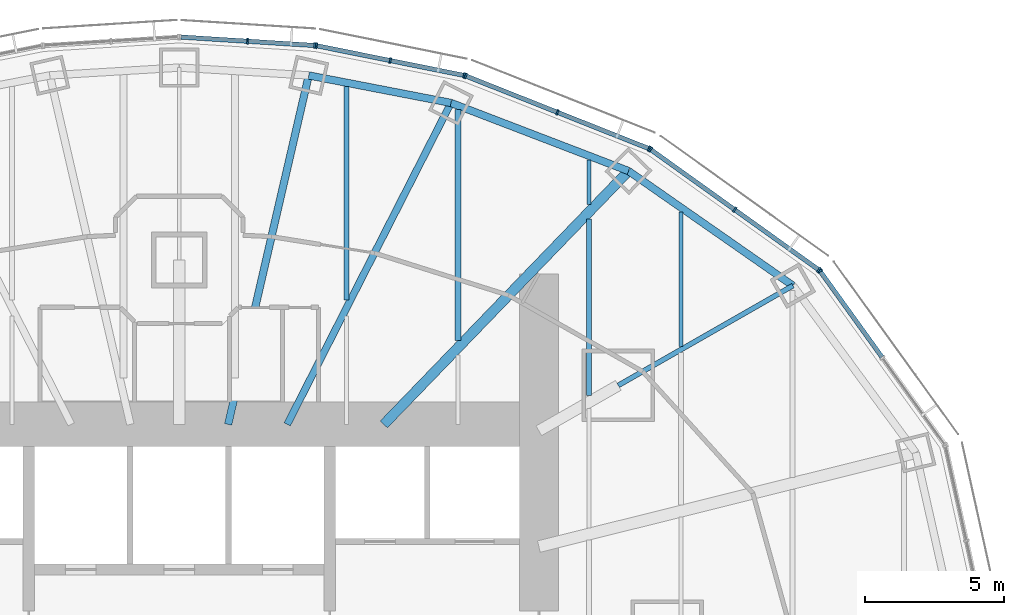
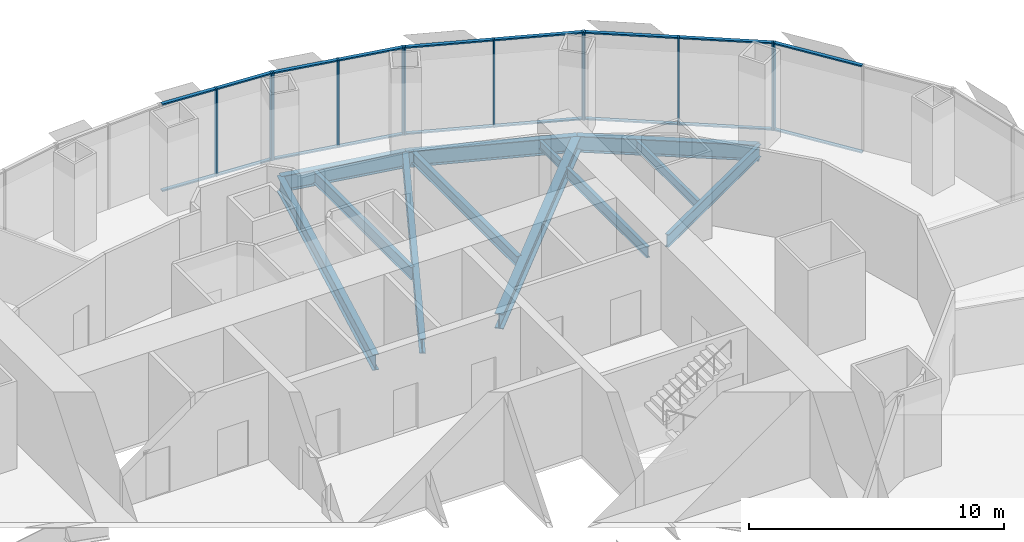
# One storey, part 8 of 17: 30 members, 12 beams, 5 elements without a shape of their own.
"""IFC4 building model written with IfcOpenShell, lengths in metres."""

from ifc_helpers import new_model, si_unit, direction, frame, origin, origin_2d, place, context, subcontext, project, spatial, rectangle, i_section, extrude, material, material_profile, profile_set, type_object, element, aggregate, save


model = new_model("IFC4")

# Units and contexts
model_context = context("Model", 3, precision=1e-05, world=origin(), true_north=direction((0.0, 1.0)))
body_context = subcontext(model_context, "Body", "Model", "MODEL_VIEW")
ifc_project = project(units=[si_unit("LENGTHUNIT", "METRE"), si_unit("AREAUNIT", "SQUARE_METRE"), si_unit("VOLUMEUNIT", "CUBIC_METRE"), si_unit("PLANEANGLEUNIT", "RADIAN"), si_unit("MASSUNIT", "GRAM", prefix="KILO")], contexts=[model_context])

# Site, building, storey
site_placement = place(None, origin())
site = spatial("IfcSite", under=ifc_project, at=site_placement, CompositionType="ELEMENT")
building_placement = place(site_placement, origin())
building = spatial("IfcBuilding", under=site, at=building_placement, Name="Lantaw Convention Tower", CompositionType="ELEMENT")
storey_placement = place(building_placement, frame((0.0, 0.0, 121.60009765625)))
storey = spatial("IfcBuildingStorey", under=building, at=storey_placement, Name="L28", CompositionType="ELEMENT", Elevation=121.60009765625)

# Beams
ifc_material_1 = material(Name="Steel ASTM A992", Category="steel")
ifc_material_profile_1 = material_profile(ifc_material_1, i_section(OverallWidth=0.2666015625, OverallDepth=0.76953125, WebThickness=0.015625, FlangeThickness=0.025390625, FilletRadius=0.0126953125, at=origin_2d()), Name="W30X132")
ifc_profile_set_1 = profile_set([ifc_material_profile_1], Name="Steel ASTM A992")
beam_type_1 = type_object("IfcBeamType", Name="Beam E W30X132", PredefinedType="SPANDREL", material=ifc_profile_set_1)
beam_1_placement = place(storey_placement, frame((22.013916015625, 12.579345703125, -0.534912109375), z_axis=(-0.820310765287, 0.57191804339, 0.0), x_axis=(-0.57191804339, -0.820310765287, 0.0)))
element("IfcBeam", 1, at=beam_1_placement, inside=storey, type_object=beam_type_1, Name="Edge beam 3", PredefinedType="SPANDREL", context=body_context, shape_type="SweptSolid", body=[
    extrude(i_section(OverallWidth=0.2666015625, OverallDepth=0.76953125, WebThickness=0.015625, FlangeThickness=0.025390625, FilletRadius=0.0126953125, at=origin_2d()), origin(), (0.0, 0.0, 1.0), 7.187744140625),
])
beam_2_placement = place(storey_placement, frame((16.11767578125, 16.690185546875, -0.534912109375), z_axis=(-0.933691081977, 0.358079549033, 0.0), x_axis=(-0.358079549033, -0.933691081977, 0.0)))
element("IfcBeam", 2, at=beam_2_placement, inside=storey, type_object=beam_type_1, Name="Edge beam 4", PredefinedType="SPANDREL", context=body_context, shape_type="SweptSolid", body=[
    extrude(i_section(OverallWidth=0.2666015625, OverallDepth=0.76953125, WebThickness=0.015625, FlangeThickness=0.025390625, FilletRadius=0.0126953125, at=origin_2d()), origin(), (0.0, 0.0, 1.0), 6.821533203125),
])
beam_3_placement = place(storey_placement, frame((9.74853515625, 19.1328125, -0.534912109375), z_axis=(-0.981796805654, 0.189934284446, 0.0), x_axis=(-0.189934284446, -0.981796805654, 0.0)))
element("IfcBeam", 3, at=beam_3_placement, inside=storey, type_object=beam_type_1, Name="Edge beam 5", PredefinedType="SPANDREL", context=body_context, shape_type="SweptSolid", body=[
    extrude(i_section(OverallWidth=0.2666015625, OverallDepth=0.76953125, WebThickness=0.015625, FlangeThickness=0.025390625, FilletRadius=0.0126953125, at=origin_2d()), origin(), (0.0, 0.0, 1.0), 5.1982421875),
])
ifc_material_profile_2 = material_profile(ifc_material_1, i_section(OverallWidth=0.177978515625, OverallDepth=0.599365234375, WebThickness=0.010009765625, FlangeThickness=0.012939453125, FilletRadius=0.012939453125, at=origin_2d()), Name="W24X55")
ifc_profile_set_2 = profile_set([ifc_material_profile_2], Name="Steel ASTM A992")
beam_type_2 = type_object("IfcBeamType", Name="Beam G W24X55", PredefinedType="BEAM", material=ifc_profile_set_2)
beam_4_placement = place(storey_placement, frame((15.75, 9.0, -0.44970703125), z_axis=(0.868245224608, 0.496135293993, 0.0), x_axis=(-0.496135293993, 0.868245224608, 0.0)))
element("IfcBeam", 4, at=beam_4_placement, inside=storey, type_object=beam_type_2, Name="Floor girder on ray 3", PredefinedType="BEAM", context=body_context, shape_type="SweptSolid", body=[
    extrude(i_section(OverallWidth=0.177978515625, OverallDepth=0.599365234375, WebThickness=0.010009765625, FlangeThickness=0.012939453125, FilletRadius=0.012939453125, at=origin_2d()), origin(), (0.0, 0.0, 1.0), 7.21435546875),
])
ifc_material_profile_3 = material_profile(ifc_material_1, i_section(OverallWidth=0.25390625, OverallDepth=0.700927734375, WebThickness=0.015380859375, FlangeThickness=0.02783203125, FilletRadius=0.01513671875, at=origin_2d()), Name="W27X129")
ifc_profile_set_3 = profile_set([ifc_material_profile_3], Name="Steel ASTM A992")
beam_type_3 = type_object("IfcBeamType", Name="Beam G W27X129", PredefinedType="BEAM", material=ifc_profile_set_3)
beam_5_placement = place(storey_placement, frame((3.872314453125, 7.60009765625, -0.500732421875), z_axis=(0.453991051051, 0.891006243281, 0.0), x_axis=(-0.891006243281, 0.453991051051, 0.0)))
element("IfcBeam", 5, at=beam_5_placement, inside=storey, type_object=beam_type_3, Name="Floor girder on ray 5", PredefinedType="BEAM", context=body_context, shape_type="SweptSolid", body=[
    extrude(i_section(OverallWidth=0.25390625, OverallDepth=0.700927734375, WebThickness=0.015380859375, FlangeThickness=0.02783203125, FilletRadius=0.01513671875, at=origin_2d()), origin(), (0.0, 0.0, 1.0), 12.943359375),
])
ifc_material_profile_4 = material_profile(ifc_material_1, i_section(OverallWidth=0.360595703125, OverallDepth=0.72900390625, WebThickness=0.023193359375, FlangeThickness=0.041015625, FilletRadius=0.0126953125, at=origin_2d()), Name="W27X235")
ifc_profile_set_4 = profile_set([ifc_material_profile_4], Name="Steel ASTM A992")
beam_type_4 = type_object("IfcBeamType", Name="Beam G W27X235", PredefinedType="BEAM", material=ifc_profile_set_4)
beam_6_placement = place(storey_placement, frame((7.33935546875, 7.60009765625, -0.5146484375), z_axis=(0.694663467407, 0.719334878239, 0.0), x_axis=(-0.719334878239, 0.694663467407, 0.0)))
element("IfcBeam", 6, at=beam_6_placement, inside=storey, type_object=beam_type_4, Name="Floor girder on ray 4", PredefinedType="BEAM", context=body_context, shape_type="SweptSolid", body=[
    extrude(i_section(OverallWidth=0.360595703125, OverallDepth=0.72900390625, WebThickness=0.023193359375, FlangeThickness=0.041015625, FilletRadius=0.0126953125, at=origin_2d()), origin(), (0.0, 0.0, 1.0), 12.63671875),
])
ifc_material_profile_5 = material_profile(ifc_material_1, i_section(OverallWidth=0.2666015625, OverallDepth=0.7568359375, WebThickness=0.013916015625, FlangeThickness=0.019287109375, FilletRadius=0.0126953125, at=origin_2d()), Name="W30X108")
ifc_profile_set_5 = profile_set([ifc_material_profile_5], Name="Steel ASTM A992")
beam_type_5 = type_object("IfcBeamType", Name="Beam G W30X108", PredefinedType="BEAM", material=ifc_profile_set_5)
beam_7_placement = place(storey_placement, frame((1.754638671875, 7.60009765625, -0.528564453125), z_axis=(0.224944153104, 0.974371658036, 0.0), x_axis=(-0.974371658036, 0.224944153104, 0.0)))
element("IfcBeam", 7, at=beam_7_placement, inside=storey, type_object=beam_type_5, Name="Floor girder on ray 6", PredefinedType="BEAM", context=body_context, shape_type="SweptSolid", body=[
    extrude(i_section(OverallWidth=0.2666015625, OverallDepth=0.7568359375, WebThickness=0.013916015625, FlangeThickness=0.019287109375, FilletRadius=0.0126953125, at=origin_2d()), origin(), (0.0, 0.0, 1.0), 12.849365234375),
])
ifc_material_profile_6 = material_profile(ifc_material_1, i_section(OverallWidth=0.140380859375, OverallDepth=0.40380859375, WebThickness=0.007080078125, FlangeThickness=0.01123046875, FilletRadius=0.01025390625, at=origin_2d()), Name="W16X31")
ifc_profile_set_6 = profile_set([ifc_material_profile_6], Name="Steel ASTM A992")
beam_type_6 = type_object("IfcBeamType", Name="Beam J W16X31", PredefinedType="JOIST", material=ifc_profile_set_6)
beam_8_placement = place(storey_placement, frame((14.699951171875, 15.48193359375, -0.35205078125), z_axis=(0.0, 1.0, 0.0), x_axis=(-1.0, 0.0, 0.0)))
element("IfcBeam", 8, at=beam_8_placement, inside=storey, type_object=beam_type_6, Name="Floor joist", PredefinedType="JOIST", context=body_context, shape_type="SweptSolid", body=[
    extrude(i_section(OverallWidth=0.140380859375, OverallDepth=0.40380859375, WebThickness=0.007080078125, FlangeThickness=0.01123046875, FilletRadius=0.01025390625, at=origin_2d()), origin(), (0.0, 0.0, 1.0), 1.609130859375),
])
ifc_material_profile_7 = material_profile(ifc_material_1, i_section(OverallWidth=0.15234375, OverallDepth=0.449462890625, WebThickness=0.007568359375, FlangeThickness=0.0107421875, FilletRadius=0.01025390625, at=origin_2d()), Name="W18X35")
ifc_profile_set_7 = profile_set([ifc_material_profile_7], Name="Steel ASTM A992")
beam_type_7 = type_object("IfcBeamType", Name="Beam J W18X35", PredefinedType="JOIST", material=ifc_profile_set_7)
beam_9_placement = place(storey_placement, frame((18.0, 10.38818359375, -0.375), z_axis=(0.0, 1.0, 0.0), x_axis=(-1.0, 0.0, 0.0)))
element("IfcBeam", 9, at=beam_9_placement, inside=storey, type_object=beam_type_7, Name="Floor joist", PredefinedType="JOIST", context=body_context, shape_type="SweptSolid", body=[
    extrude(i_section(OverallWidth=0.15234375, OverallDepth=0.449462890625, WebThickness=0.007568359375, FlangeThickness=0.0107421875, FilletRadius=0.01025390625, at=origin_2d()), origin(), (0.0, 0.0, 1.0), 4.8271484375),
])
ifc_material_profile_8 = material_profile(ifc_material_1, i_section(OverallWidth=0.1650390625, OverallDepth=0.52587890625, WebThickness=0.0087890625, FlangeThickness=0.011474609375, FilletRadius=0.0126953125, at=origin_2d()), Name="W21X44")
ifc_profile_set_8 = profile_set([ifc_material_profile_8], Name="Steel ASTM A992")
beam_type_8 = type_object("IfcBeamType", Name="Beam J W21X44", PredefinedType="JOIST", material=ifc_profile_set_8)
beam_10_placement = place(storey_placement, frame((14.699951171875, 8.632568359375, -0.4130859375), z_axis=(0.0, 1.0, 0.0), x_axis=(-1.0, 0.0, 0.0)))
element("IfcBeam", 10, at=beam_10_placement, inside=storey, type_object=beam_type_8, Name="Floor joist", PredefinedType="JOIST", context=body_context, shape_type="SweptSolid", body=[
    extrude(i_section(OverallWidth=0.1650390625, OverallDepth=0.52587890625, WebThickness=0.0087890625, FlangeThickness=0.011474609375, FilletRadius=0.0126953125, at=origin_2d()), origin(), (0.0, 0.0, 1.0), 6.330078125),
])
ifc_material_profile_9 = material_profile(ifc_material_1, i_section(OverallWidth=0.2099609375, OverallDepth=0.535888671875, WebThickness=0.010986328125, FlangeThickness=0.017333984375, FilletRadius=0.012939453125, at=origin_2d()), Name="W21X68")
ifc_profile_set_9 = profile_set([ifc_material_profile_9], Name="Steel ASTM A992")
beam_type_9 = type_object("IfcBeamType", Name="Beam J W21X68", PredefinedType="JOIST", material=ifc_profile_set_9)
beam_11_placement = place(storey_placement, frame((10.0, 10.614990234375, -0.41796875), z_axis=(0.0, 1.0, 0.0), x_axis=(-1.0, 0.0, 0.0)))
element("IfcBeam", 11, at=beam_11_placement, inside=storey, type_object=beam_type_9, Name="Floor joist", PredefinedType="JOIST", context=body_context, shape_type="SweptSolid", body=[
    extrude(i_section(OverallWidth=0.2099609375, OverallDepth=0.535888671875, WebThickness=0.010986328125, FlangeThickness=0.017333984375, FilletRadius=0.012939453125, at=origin_2d()), origin(), (0.0, 0.0, 1.0), 8.278564453125),
])
ifc_material_profile_10 = material_profile(ifc_material_1, i_section(OverallWidth=0.177978515625, OverallDepth=0.599365234375, WebThickness=0.010009765625, FlangeThickness=0.012939453125, FilletRadius=0.012939453125, at=origin_2d()), Name="W24X55")
ifc_profile_set_10 = profile_set([ifc_material_profile_10], Name="Steel ASTM A992")
beam_type_10 = type_object("IfcBeamType", Name="Beam J W24X55", PredefinedType="JOIST", material=ifc_profile_set_10)
beam_12_placement = place(storey_placement, frame((6.0, 12.055419921875, -0.44970703125), z_axis=(0.0, 1.0, 0.0), x_axis=(-1.0, 0.0, 0.0)))
element("IfcBeam", 12, at=beam_12_placement, inside=storey, type_object=beam_type_10, Name="Floor joist", PredefinedType="JOIST", context=body_context, shape_type="SweptSolid", body=[
    extrude(i_section(OverallWidth=0.177978515625, OverallDepth=0.599365234375, WebThickness=0.010009765625, FlangeThickness=0.012939453125, FilletRadius=0.012939453125, at=origin_2d()), origin(), (0.0, 0.0, 1.0), 7.666748046875),
])

# Curtain wall, member
ifc_material_2 = material(Name="Aluminium framed curtain wall", Category="aluminium")
curtain_wall_type = type_object("IfcCurtainWallType", Name="Office curtain wall low rise, pale aluminium", PredefinedType="USERDEFINED", material=ifc_material_2)
curtain_wall_1_placement = place(storey_placement, origin())
curtain_wall_1 = element("IfcCurtainWall", 13, at=curtain_wall_1_placement, inside=storey, type_object=curtain_wall_type, Name="Office curtain wall low rise, pale aluminium L28", ObjectType="UNITISED CURTAIN WALL", PredefinedType="USERDEFINED")
ifc_material_3 = material(Name="Aluminium 6063-T6", Category="aluminium")
ifc_material_profile_11 = material_profile(ifc_material_3, rectangle(XDim=0.199951171875, YDim=0.06494140625, at=origin_2d()), Name="CW-O1 mullion 65x200")
ifc_profile_set_11 = profile_set([ifc_material_profile_11], Name="Aluminium 6063-T6")
member_type_1 = type_object("IfcMemberType", Name="CW-O1 mullion 65x200", PredefinedType="MULLION", material=ifc_profile_set_11)
member_1_placement = place(storey_placement, frame((22.988037109375, 13.098876953125, -0.150146484375), z_axis=(0.0, 0.0, 1.0), x_axis=(-0.811384633629, -0.584512597221, 0.0)))
member_1 = element("IfcMember", 14, at=member_1_placement, type_object=member_type_1, Name="CW-O1 mullion 3", PredefinedType="MULLION", context=body_context, shape_type="SweptSolid", body=[
    extrude(rectangle(XDim=0.199951171875, YDim=0.06494140625, at=origin_2d()), origin(), (0.0, 0.0, 1.0), 4.199951171875),
])

# Curtain wall, members
curtain_wall_2_placement = place(storey_placement, origin())
curtain_wall_2 = element("IfcCurtainWall", 15, at=curtain_wall_2_placement, inside=storey, type_object=curtain_wall_type, Name="Office curtain wall low rise, pale aluminium L28", ObjectType="UNITISED CURTAIN WALL", PredefinedType="USERDEFINED")
member_2_placement = place(storey_placement, frame((22.942626953125, 13.14404296875, -0.150146484375), z_axis=(0.0, 0.0, 1.0), x_axis=(-0.581972695693, -0.813208325995, 0.0)))
member_2 = element("IfcMember", 16, at=member_2_placement, type_object=member_type_1, Name="CW-O1 mullion 1", PredefinedType="MULLION", context=body_context, shape_type="SweptSolid", body=[
    extrude(rectangle(XDim=0.199951171875, YDim=0.06494140625, at=origin_2d()), origin(), (0.0, 0.0, 1.0), 4.199951171875),
])
member_3_placement = place(storey_placement, frame((19.92529296875, 15.303466796875, -0.150146484375), z_axis=(0.0, 0.0, 1.0), x_axis=(-0.581972695693, -0.813208325995, 0.0)))
member_3 = element("IfcMember", 17, at=member_3_placement, type_object=member_type_1, Name="CW-O1 mullion 2", PredefinedType="MULLION", context=body_context, shape_type="SweptSolid", body=[
    extrude(rectangle(XDim=0.199951171875, YDim=0.06494140625, at=origin_2d()), origin(), (0.0, 0.0, 1.0), 4.199951171875),
])
member_4_placement = place(storey_placement, frame((16.908203125, 17.462646484375, -0.150146484375), z_axis=(0.0, 0.0, 1.0), x_axis=(-0.581972695693, -0.813208325995, 0.0)))
member_4 = element("IfcMember", 18, at=member_4_placement, type_object=member_type_1, Name="CW-O1 mullion 3", PredefinedType="MULLION", context=body_context, shape_type="SweptSolid", body=[
    extrude(rectangle(XDim=0.199951171875, YDim=0.06494140625, at=origin_2d()), origin(), (0.0, 0.0, 1.0), 4.199951171875),
])

curtain_wall_3_placement = place(storey_placement, origin())
curtain_wall_3 = element("IfcCurtainWall", 19, at=curtain_wall_3_placement, inside=storey, type_object=curtain_wall_type, Name="Office curtain wall low rise, pale aluminium L28", ObjectType="UNITISED CURTAIN WALL", PredefinedType="USERDEFINED")
member_5_placement = place(storey_placement, frame((16.8515625, 17.49365234375, -0.150146484375), z_axis=(0.0, 0.0, 1.0), x_axis=(-0.368701907483, -0.929547687544, 0.0)))
member_5 = element("IfcMember", 20, at=member_5_placement, type_object=member_type_1, Name="CW-O1 mullion 1", PredefinedType="MULLION", context=body_context, shape_type="SweptSolid", body=[
    extrude(rectangle(XDim=0.199951171875, YDim=0.06494140625, at=origin_2d()), origin(), (0.0, 0.0, 1.0), 4.199951171875),
])
member_6_placement = place(storey_placement, frame((13.56494140625, 18.797119140625, -0.150146484375), z_axis=(0.0, 0.0, 1.0), x_axis=(-0.368701907483, -0.929547687544, 0.0)))
member_6 = element("IfcMember", 21, at=member_6_placement, type_object=member_type_1, Name="CW-O1 mullion 2", PredefinedType="MULLION", context=body_context, shape_type="SweptSolid", body=[
    extrude(rectangle(XDim=0.199951171875, YDim=0.06494140625, at=origin_2d()), origin(), (0.0, 0.0, 1.0), 4.199951171875),
])
member_7_placement = place(storey_placement, frame((10.2783203125, 20.100830078125, -0.150146484375), z_axis=(0.0, 0.0, 1.0), x_axis=(-0.368701907483, -0.929547687544, 0.0)))
member_7 = element("IfcMember", 22, at=member_7_placement, type_object=member_type_1, Name="CW-O1 mullion 3", PredefinedType="MULLION", context=body_context, shape_type="SweptSolid", body=[
    extrude(rectangle(XDim=0.199951171875, YDim=0.06494140625, at=origin_2d()), origin(), (0.0, 0.0, 1.0), 4.199951171875),
])

curtain_wall_4_placement = place(storey_placement, origin())
curtain_wall_4 = element("IfcCurtainWall", 23, at=curtain_wall_4_placement, inside=storey, type_object=curtain_wall_type, Name="Office curtain wall low rise, pale aluminium L28", ObjectType="UNITISED CURTAIN WALL", PredefinedType="USERDEFINED")
member_8_placement = place(storey_placement, frame((10.216064453125, 20.119140625, -0.150146484375), z_axis=(0.0, 0.0, 1.0), x_axis=(-0.197506809659, -0.980301514912, 0.0)))
member_8 = element("IfcMember", 24, at=member_8_placement, type_object=member_type_1, Name="CW-O1 mullion 1", PredefinedType="MULLION", context=body_context, shape_type="SweptSolid", body=[
    extrude(rectangle(XDim=0.199951171875, YDim=0.06494140625, at=origin_2d()), origin(), (0.0, 0.0, 1.0), 4.199951171875),
])
member_9_placement = place(storey_placement, frame((7.5703125, 20.65234375, -0.150146484375), z_axis=(0.0, 0.0, 1.0), x_axis=(-0.197506809659, -0.980301514912, 0.0)))
member_9 = element("IfcMember", 25, at=member_9_placement, type_object=member_type_1, Name="CW-O1 mullion 2", PredefinedType="MULLION", context=body_context, shape_type="SweptSolid", body=[
    extrude(rectangle(XDim=0.199951171875, YDim=0.06494140625, at=origin_2d()), origin(), (0.0, 0.0, 1.0), 4.199951171875),
])
member_10_placement = place(storey_placement, frame((4.92431640625, 21.185302734375, -0.150146484375), z_axis=(0.0, 0.0, 1.0), x_axis=(-0.197506809659, -0.980301514912, 0.0)))
member_10 = element("IfcMember", 26, at=member_10_placement, type_object=member_type_1, Name="CW-O1 mullion 3", PredefinedType="MULLION", context=body_context, shape_type="SweptSolid", body=[
    extrude(rectangle(XDim=0.199951171875, YDim=0.06494140625, at=origin_2d()), origin(), (0.0, 0.0, 1.0), 4.199951171875),
])

curtain_wall_5_placement = place(storey_placement, origin())
curtain_wall_5 = element("IfcCurtainWall", 27, at=curtain_wall_5_placement, inside=storey, type_object=curtain_wall_type, Name="Office curtain wall low rise, pale aluminium L28", ObjectType="UNITISED CURTAIN WALL", PredefinedType="USERDEFINED")
member_11_placement = place(storey_placement, frame((4.860107421875, 21.19384765625, -0.150146484375), z_axis=(0.0, 0.0, 1.0), x_axis=(-0.062865059466, -0.998022035978, 0.0)))
member_11 = element("IfcMember", 28, at=member_11_placement, type_object=member_type_1, Name="CW-O1 mullion 1", PredefinedType="MULLION", context=body_context, shape_type="SweptSolid", body=[
    extrude(rectangle(XDim=0.199951171875, YDim=0.06494140625, at=origin_2d()), origin(), (0.0, 0.0, 1.0), 4.199951171875),
])
member_12_placement = place(storey_placement, frame((2.4462890625, 21.345947265625, -0.150146484375), z_axis=(0.0, 0.0, 1.0), x_axis=(-0.062865059466, -0.998022035978, 0.0)))
member_12 = element("IfcMember", 29, at=member_12_placement, type_object=member_type_1, Name="CW-O1 mullion 2", PredefinedType="MULLION", context=body_context, shape_type="SweptSolid", body=[
    extrude(rectangle(XDim=0.199951171875, YDim=0.06494140625, at=origin_2d()), origin(), (0.0, 0.0, 1.0), 4.199951171875),
])

# Member
ifc_material_profile_12 = material_profile(ifc_material_3, rectangle(XDim=0.159912109375, YDim=0.06494140625, at=origin_2d()), Name="CW-O1 transom 65x160")
ifc_profile_set_12 = profile_set([ifc_material_profile_12], Name="Aluminium 6063-T6")
member_type_2 = type_object("IfcMemberType", Name="CW-O1 transom 65x160", PredefinedType="USERDEFINED", material=ifc_profile_set_12)
member_13_placement = place(storey_placement, frame((25.209228515625, 10.015625, -0.11767578125), z_axis=(-0.584512973979, 0.811384362217, 0.0), x_axis=(-0.811384362217, -0.584512973979, 0.0)))
member_13 = element("IfcMember", 30, at=member_13_placement, type_object=member_type_2, Name="CW-O1 transom 2.1", ObjectType="TRANSOM", PredefinedType="USERDEFINED", context=body_context, shape_type="SweptSolid", body=[
    extrude(rectangle(XDim=0.159912109375, YDim=0.06494140625, at=origin_2d()), origin(), (0.0, 0.0, 1.0), 3.767578125),
])

member_14_placement = place(storey_placement, frame((25.209228515625, 10.015625, 4.017333984375), z_axis=(-0.584512973979, 0.811384362217, 0.0), x_axis=(-0.811384362217, -0.584512973979, 0.0)))
member_14 = element("IfcMember", 31, at=member_14_placement, type_object=member_type_2, Name="CW-O1 transom 2.2", ObjectType="TRANSOM", PredefinedType="USERDEFINED", context=body_context, shape_type="SweptSolid", body=[
    extrude(rectangle(XDim=0.159912109375, YDim=0.06494140625, at=origin_2d()), origin(), (0.0, 0.0, 1.0), 3.767578125),
])

aggregate(curtain_wall_1, [member_1, member_13, member_14])

member_15_placement = place(storey_placement, frame((22.916259765625, 13.1630859375, -0.11767578125), z_axis=(-0.813221785972, 0.581953887194, 0.0), x_axis=(-0.581953887194, -0.813221785972, 0.0)))
member_15 = element("IfcMember", 32, at=member_15_placement, type_object=member_type_2, Name="CW-O1 transom 1.1", ObjectType="TRANSOM", PredefinedType="USERDEFINED", context=body_context, shape_type="SweptSolid", body=[
    extrude(rectangle(XDim=0.159912109375, YDim=0.06494140625, at=origin_2d()), origin(), (0.0, 0.0, 1.0), 3.645263671875),
])

member_16_placement = place(storey_placement, frame((22.916259765625, 13.1630859375, 4.017333984375), z_axis=(-0.813221785972, 0.581953887194, 0.0), x_axis=(-0.581953887194, -0.813221785972, 0.0)))
member_16 = element("IfcMember", 33, at=member_16_placement, type_object=member_type_2, Name="CW-O1 transom 1.2", ObjectType="TRANSOM", PredefinedType="USERDEFINED", context=body_context, shape_type="SweptSolid", body=[
    extrude(rectangle(XDim=0.159912109375, YDim=0.06494140625, at=origin_2d()), origin(), (0.0, 0.0, 1.0), 3.645263671875),
])

member_17_placement = place(storey_placement, frame((19.89892578125, 15.322265625, -0.11767578125), z_axis=(-0.813190089133, 0.581998177777, 0.0), x_axis=(-0.581998177777, -0.813190089133, 0.0)))
member_17 = element("IfcMember", 34, at=member_17_placement, type_object=member_type_2, Name="CW-O1 transom 2.1", ObjectType="TRANSOM", PredefinedType="USERDEFINED", context=body_context, shape_type="SweptSolid", body=[
    extrude(rectangle(XDim=0.159912109375, YDim=0.06494140625, at=origin_2d()), origin(), (0.0, 0.0, 1.0), 3.645263671875),
])

member_18_placement = place(storey_placement, frame((19.89892578125, 15.322265625, 4.017333984375), z_axis=(-0.813190089133, 0.581998177777, 0.0), x_axis=(-0.581998177777, -0.813190089133, 0.0)))
member_18 = element("IfcMember", 35, at=member_18_placement, type_object=member_type_2, Name="CW-O1 transom 2.2", ObjectType="TRANSOM", PredefinedType="USERDEFINED", context=body_context, shape_type="SweptSolid", body=[
    extrude(rectangle(XDim=0.159912109375, YDim=0.06494140625, at=origin_2d()), origin(), (0.0, 0.0, 1.0), 3.645263671875),
])

aggregate(curtain_wall_2, [member_2, member_3, member_4, member_15, member_16, member_17, member_18])

member_19_placement = place(storey_placement, frame((16.8212890625, 17.505615234375, -0.11767578125), z_axis=(-0.929564188507, 0.368660303592, 0.0), x_axis=(-0.368660303592, -0.929564188507, 0.0)))
member_19 = element("IfcMember", 36, at=member_19_placement, type_object=member_type_2, Name="CW-O1 transom 1.1", ObjectType="TRANSOM", PredefinedType="USERDEFINED", context=body_context, shape_type="SweptSolid", body=[
    extrude(rectangle(XDim=0.159912109375, YDim=0.06494140625, at=origin_2d()), origin(), (0.0, 0.0, 1.0), 3.470703125),
])

member_20_placement = place(storey_placement, frame((16.8212890625, 17.505615234375, 4.017333984375), z_axis=(-0.929564188507, 0.368660303592, 0.0), x_axis=(-0.368660303592, -0.929564188507, 0.0)))
member_20 = element("IfcMember", 37, at=member_20_placement, type_object=member_type_2, Name="CW-O1 transom 1.2", ObjectType="TRANSOM", PredefinedType="USERDEFINED", context=body_context, shape_type="SweptSolid", body=[
    extrude(rectangle(XDim=0.159912109375, YDim=0.06494140625, at=origin_2d()), origin(), (0.0, 0.0, 1.0), 3.470703125),
])

member_21_placement = place(storey_placement, frame((13.53466796875, 18.80908203125, -0.11767578125), z_axis=(-0.929540081544, 0.368721082668, 0.0), x_axis=(-0.368721082668, -0.929540081544, 0.0)))
member_21 = element("IfcMember", 38, at=member_21_placement, type_object=member_type_2, Name="CW-O1 transom 2.1", ObjectType="TRANSOM", PredefinedType="USERDEFINED", context=body_context, shape_type="SweptSolid", body=[
    extrude(rectangle(XDim=0.159912109375, YDim=0.06494140625, at=origin_2d()), origin(), (0.0, 0.0, 1.0), 3.470947265625),
])

member_22_placement = place(storey_placement, frame((13.53466796875, 18.80908203125, 4.017333984375), z_axis=(-0.929540081544, 0.368721082668, 0.0), x_axis=(-0.368721082668, -0.929540081544, 0.0)))
member_22 = element("IfcMember", 39, at=member_22_placement, type_object=member_type_2, Name="CW-O1 transom 2.2", ObjectType="TRANSOM", PredefinedType="USERDEFINED", context=body_context, shape_type="SweptSolid", body=[
    extrude(rectangle(XDim=0.159912109375, YDim=0.06494140625, at=origin_2d()), origin(), (0.0, 0.0, 1.0), 3.470947265625),
])

aggregate(curtain_wall_3, [member_5, member_6, member_7, member_19, member_20, member_21, member_22])

member_23_placement = place(storey_placement, frame((10.184326171875, 20.125732421875, -0.11767578125), z_axis=(-0.980301643003, 0.197506173891, 0.0), x_axis=(-0.197506173891, -0.980301643003, 0.0)))
member_23 = element("IfcMember", 40, at=member_23_placement, type_object=member_type_2, Name="CW-O1 transom 1.1", ObjectType="TRANSOM", PredefinedType="USERDEFINED", context=body_context, shape_type="SweptSolid", body=[
    extrude(rectangle(XDim=0.159912109375, YDim=0.06494140625, at=origin_2d()), origin(), (0.0, 0.0, 1.0), 2.63427734375),
])

member_24_placement = place(storey_placement, frame((10.184326171875, 20.125732421875, 4.017333984375), z_axis=(-0.980301643003, 0.197506173891, 0.0), x_axis=(-0.197506173891, -0.980301643003, 0.0)))
member_24 = element("IfcMember", 41, at=member_24_placement, type_object=member_type_2, Name="CW-O1 transom 1.2", ObjectType="TRANSOM", PredefinedType="USERDEFINED", context=body_context, shape_type="SweptSolid", body=[
    extrude(rectangle(XDim=0.159912109375, YDim=0.06494140625, at=origin_2d()), origin(), (0.0, 0.0, 1.0), 2.63427734375),
])

member_25_placement = place(storey_placement, frame((7.538330078125, 20.65869140625, -0.11767578125), z_axis=(-0.980298027092, 0.197524120247, 0.0), x_axis=(-0.197524120247, -0.980298027092, 0.0)))
member_25 = element("IfcMember", 42, at=member_25_placement, type_object=member_type_2, Name="CW-O1 transom 2.1", ObjectType="TRANSOM", PredefinedType="USERDEFINED", context=body_context, shape_type="SweptSolid", body=[
    extrude(rectangle(XDim=0.159912109375, YDim=0.06494140625, at=origin_2d()), origin(), (0.0, 0.0, 1.0), 2.634033203125),
])

member_26_placement = place(storey_placement, frame((7.538330078125, 20.65869140625, 4.017333984375), z_axis=(-0.980298027092, 0.197524120247, 0.0), x_axis=(-0.197524120247, -0.980298027092, 0.0)))
member_26 = element("IfcMember", 43, at=member_26_placement, type_object=member_type_2, Name="CW-O1 transom 2.2", ObjectType="TRANSOM", PredefinedType="USERDEFINED", context=body_context, shape_type="SweptSolid", body=[
    extrude(rectangle(XDim=0.159912109375, YDim=0.06494140625, at=origin_2d()), origin(), (0.0, 0.0, 1.0), 2.634033203125),
])

aggregate(curtain_wall_4, [member_8, member_9, member_10, member_23, member_24, member_25, member_26])

member_27_placement = place(storey_placement, frame((4.82763671875, 21.19580078125, -0.11767578125), z_axis=(-0.998022188463, 0.062862638625, 0.0), x_axis=(-0.062862638625, -0.998022188463, 0.0)))
member_27 = element("IfcMember", 44, at=member_27_placement, type_object=member_type_2, Name="CW-O1 transom 1.1", ObjectType="TRANSOM", PredefinedType="USERDEFINED", context=body_context, shape_type="SweptSolid", body=[
    extrude(rectangle(XDim=0.159912109375, YDim=0.06494140625, at=origin_2d()), origin(), (0.0, 0.0, 1.0), 2.353515625),
])

member_28_placement = place(storey_placement, frame((4.82763671875, 21.19580078125, 4.017333984375), z_axis=(-0.998022188463, 0.062862638625, 0.0), x_axis=(-0.062862638625, -0.998022188463, 0.0)))
member_28 = element("IfcMember", 45, at=member_28_placement, type_object=member_type_2, Name="CW-O1 transom 1.2", ObjectType="TRANSOM", PredefinedType="USERDEFINED", context=body_context, shape_type="SweptSolid", body=[
    extrude(rectangle(XDim=0.159912109375, YDim=0.06494140625, at=origin_2d()), origin(), (0.0, 0.0, 1.0), 2.353515625),
])

member_29_placement = place(storey_placement, frame((2.413818359375, 21.347900390625, -0.11767578125), z_axis=(-0.998022188463, 0.062862638625, 0.0), x_axis=(-0.062862638625, -0.998022188463, 0.0)))
member_29 = element("IfcMember", 46, at=member_29_placement, type_object=member_type_2, Name="CW-O1 transom 2.1", ObjectType="TRANSOM", PredefinedType="USERDEFINED", context=body_context, shape_type="SweptSolid", body=[
    extrude(rectangle(XDim=0.159912109375, YDim=0.06494140625, at=origin_2d()), origin(), (0.0, 0.0, 1.0), 2.353515625),
])

member_30_placement = place(storey_placement, frame((2.413818359375, 21.347900390625, 4.017333984375), z_axis=(-0.998022188463, 0.062862638625, 0.0), x_axis=(-0.062862638625, -0.998022188463, 0.0)))
member_30 = element("IfcMember", 47, at=member_30_placement, type_object=member_type_2, Name="CW-O1 transom 2.2", ObjectType="TRANSOM", PredefinedType="USERDEFINED", context=body_context, shape_type="SweptSolid", body=[
    extrude(rectangle(XDim=0.159912109375, YDim=0.06494140625, at=origin_2d()), origin(), (0.0, 0.0, 1.0), 2.353515625),
])

aggregate(curtain_wall_5, [member_11, member_12, member_27, member_28, member_29, member_30])

save(model, "model.ifc")
